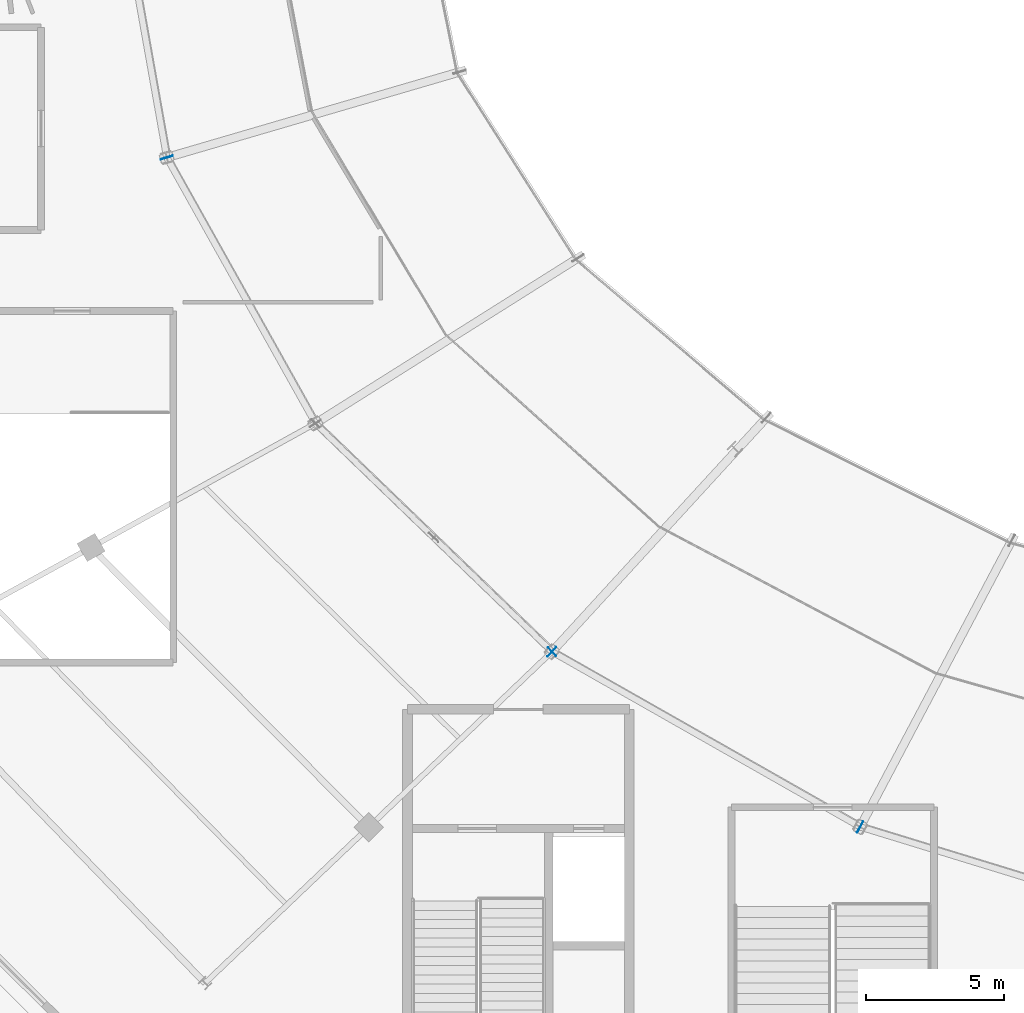
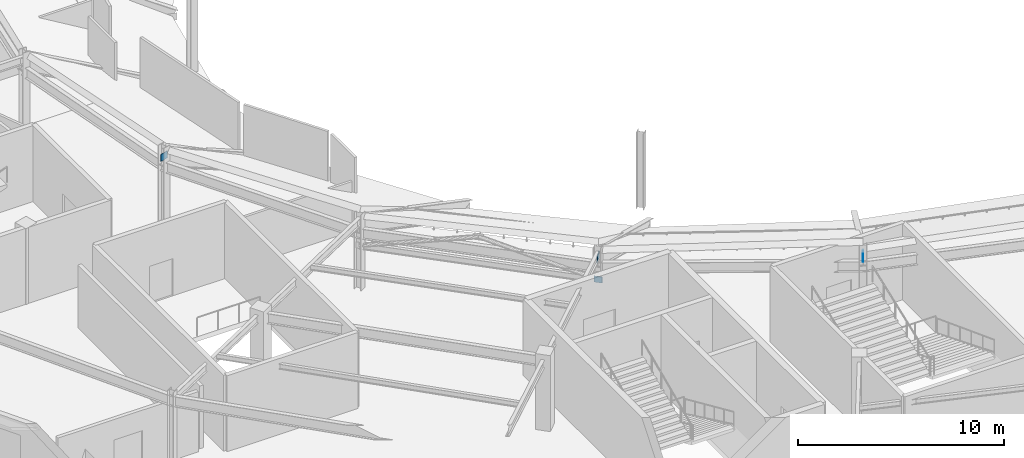
# One storey, part 18 of 63: 4 plates.
"""IFC4 building model written with IfcOpenShell, lengths in metres."""

from ifc_helpers import new_model, si_unit, direction, frame, origin, origin_2d, place, context, subcontext, project, spatial, rectangle, extrude, material, layer, layer_set, type_object, element, save


model = new_model("IFC4")

# Units and contexts
model_context = context("Model", 3, precision=1e-05, world=origin(), true_north=direction((0.0, 1.0)))
body_context = subcontext(model_context, "Body", "Model", "MODEL_VIEW")
ifc_project = project(units=[si_unit("LENGTHUNIT", "METRE"), si_unit("AREAUNIT", "SQUARE_METRE"), si_unit("VOLUMEUNIT", "CUBIC_METRE"), si_unit("PLANEANGLEUNIT", "RADIAN"), si_unit("MASSUNIT", "GRAM", prefix="KILO")], contexts=[model_context])

# Site, building, storey
site_placement = place(None, origin())
site = spatial("IfcSite", under=ifc_project, at=site_placement, CompositionType="ELEMENT")
building_placement = place(site_placement, origin())
building = spatial("IfcBuilding", under=site, at=building_placement, Name="Kalgoora Escarpment Arena", CompositionType="ELEMENT")
storey_placement = place(building_placement, frame((0.0, 0.0, 14.39990234375)))
storey = spatial("IfcBuildingStorey", under=building, at=storey_placement, Name="L03", CompositionType="ELEMENT", Elevation=14.39990234375)

# Plates
ifc_material = material(Name="Structural steel Grade 350 (350 MPa)", Category="steel")
ifc_layer = layer(ifc_material, 0.02490234375)
ifc_layer_set = layer_set([ifc_layer], Name="PLT-GUSSET-25")
plate_type = type_object("IfcPlateType", Name="PLT-GUSSET-25", PredefinedType="USERDEFINED", material=ifc_layer_set)
for number, where, z_axis, x_axis, name in (
    (1, (40.239990234375, 53.647216796875, 3.64013671875), (0.0, 0.0, 1.0), (-0.959854262938, -0.280499187022, 0.0), "Upper bowl raker wall embedment plate R14"),
    (2, (54.21630859375, 35.7158203125, 3.64013671875), (0.0, 0.0, 1.0), (-0.675718876495, -0.737159412846, 0.0), "Upper bowl raker wall embedment plate R16"),
    (3, (65.39990234375, 29.35888671875, 3.64013671875), (0.0, 0.0, 1.0), (-0.467775560934, -0.883847285787, 0.0), "Upper bowl raker wall embedment plate R17"),
):
    element("IfcPlate", number, at=place(storey_placement, frame(where, z_axis=z_axis, x_axis=x_axis)), inside=storey, type_object=plate_type, Name=name, ObjectType="FLANGE PLATE", PredefinedType="USERDEFINED", context=body_context, shape_type="SweptSolid", body=[
        extrude(rectangle(XDim=0.4599609375, YDim=0.02490234375, at=origin_2d()), origin(), (0.0, 0.0, 1.0), 0.419921875),
    ])
plate_placement = place(storey_placement, frame((54.21630859375, 35.7158203125, 2.33984375), z_axis=(0.0, 0.0, 1.0), x_axis=(-0.719339800339, 0.694658370459, 0.0)))
element("IfcPlate", 4, at=plate_placement, inside=storey, type_object=plate_type, Name="Brace and post end gusset plate 030", ObjectType="FLANGE PLATE", PredefinedType="USERDEFINED", context=body_context, shape_type="SweptSolid", body=[
    extrude(rectangle(XDim=0.419921875, YDim=0.02490234375, at=origin_2d()), origin(), (0.0, 0.0, 1.0), 0.360107421875),
])

save(model, "model.ifc")
